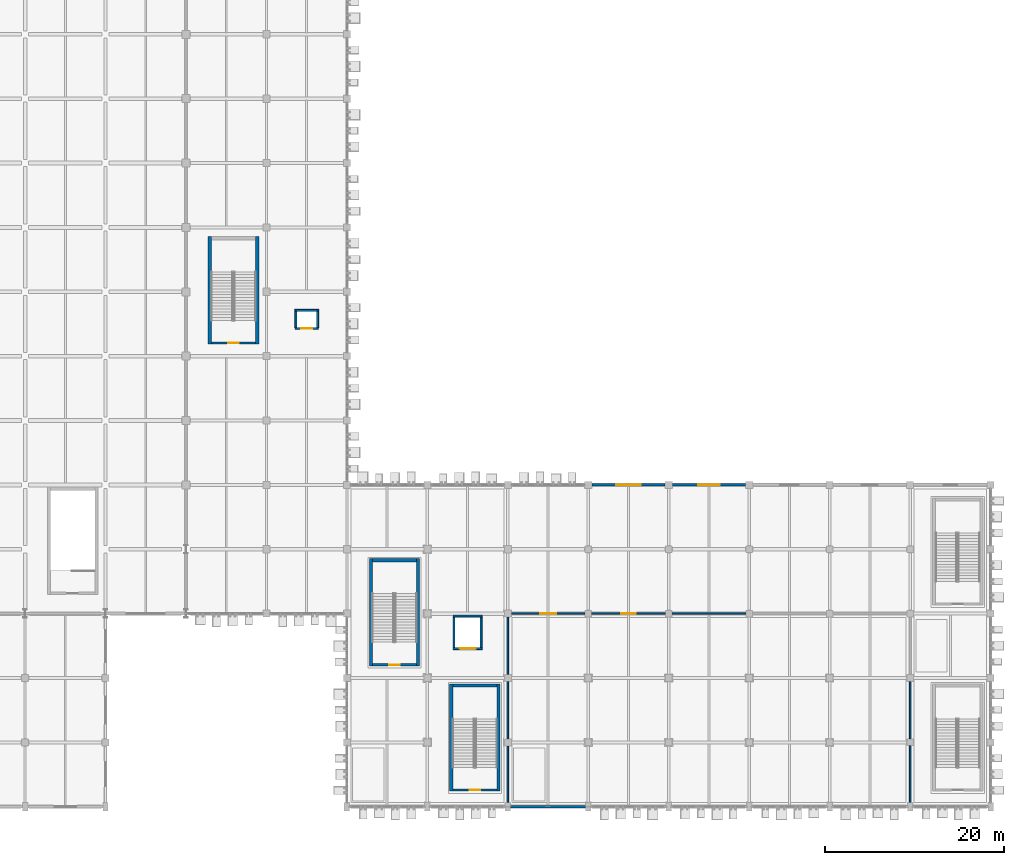
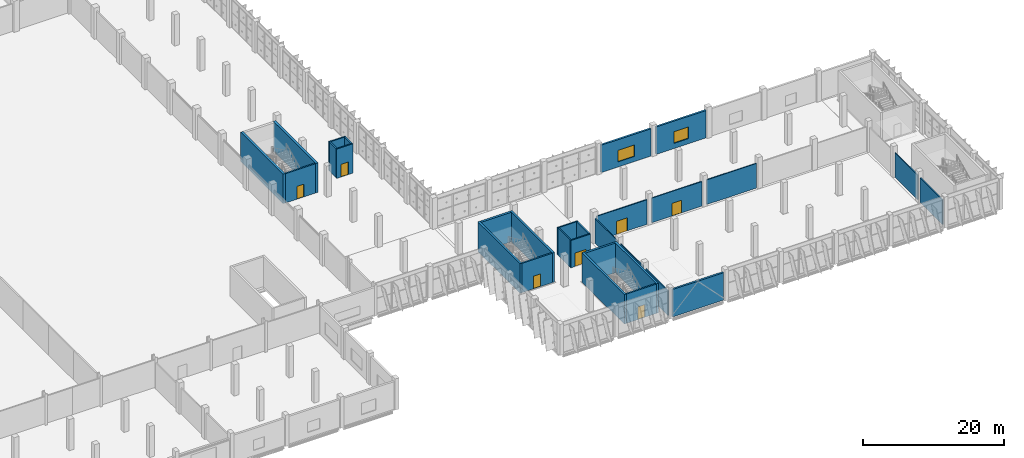
# One storey, part 91 of 137: 30 walls, 7 doors, 2 windows, 9 openings.
"""IFC4 building model written with IfcOpenShell, lengths in metres."""

from ifc_helpers import new_model, si_unit, direction, frame, frame_2d, origin, place, context, subcontext, project, spatial, rectangle, extrude, material, layer, layer_set, type_object, element, fill, save


model = new_model("IFC4")

# Units and contexts
model_context = context("Model", 3, precision=1e-05, world=origin(), true_north=direction((0.0, 1.0)))
body_context = subcontext(model_context, "Body", "Model", "MODEL_VIEW")
ifc_project = project(units=[si_unit("LENGTHUNIT", "METRE"), si_unit("AREAUNIT", "SQUARE_METRE"), si_unit("VOLUMEUNIT", "CUBIC_METRE"), si_unit("PLANEANGLEUNIT", "RADIAN"), si_unit("MASSUNIT", "GRAM", prefix="KILO")], contexts=[model_context])

# Site, building, storey
site_placement = place(None, origin())
site = spatial("IfcSite", under=ifc_project, at=site_placement, CompositionType="ELEMENT")
building_placement = place(site_placement, origin())
building = spatial("IfcBuilding", under=site, at=building_placement, Name="Celestram Park Convention Centre", CompositionType="ELEMENT")
storey_placement = place(building_placement, origin())
storey = spatial("IfcBuildingStorey", under=building, at=storey_placement, Name="L00", CompositionType="ELEMENT", Elevation=0.0)

# Wall, opening, door
ifc_material_1 = material(Name="Concrete Block Masonry C25/30", Category="masonry")
ifc_layer_1 = layer(ifc_material_1, 0.25)
ifc_layer_set_1 = layer_set([ifc_layer_1], Name="Concrete Block Masonry C25/30")
wall_type_1 = type_object("IfcWallType", Name="ARC-WL-COR250", PredefinedType="STANDARD", material=ifc_layer_set_1)
wall_1_placement = place(storey_placement, frame((133.800048828125, 51.875, 0.0), z_axis=(0.0, 0.0, 1.0), x_axis=(-1.0, 0.0, 0.0)))
wall_1 = element("IfcWall", 1, at=wall_1_placement, inside=storey, type_object=wall_type_1, Name="Core C4 stair entrance wall", PredefinedType="STANDARD", context=body_context, shape_type="SweptSolid", body=[
    extrude(rectangle(XDim=4.9599609375, YDim=0.25, at=frame_2d((2.47998046875, 0.0))), origin(), (0.0, 0.0, 1.0), 5.080078125),
])
opening_1_placement = place(wall_1_placement, frame((1.905029296875, 0.0, 0.0)))
opening_1 = element("IfcOpeningElement", 2, at=opening_1_placement, cuts=wall_1, Name="Opening D-ST1", PredefinedType="OPENING", context=body_context, shape_type="SweptSolid", body=[
    extrude(rectangle(XDim=1.14990234375, YDim=2.199951171875, at=frame_2d((0.574951171875, 1.10009765625))), frame((0.0, 0.135009765625, 0.0), z_axis=(0.0, -1.0, 0.0), x_axis=(1.0, 0.0, 0.0)), (0.0, 0.0, 1.0), 0.27001953125),
])
ifc_material_2 = material(Name="Fire-Rated Hollow Metal Steel ASTM A653", Category="steel")
door_type_1 = type_object("IfcDoorType", Name="ARC-DR-ST115", OperationType="NOTDEFINED", PredefinedType="DOOR", material=ifc_material_2)
door_1_placement = place(opening_1_placement, origin())
door_1 = element("IfcDoor", 3, at=door_1_placement, inside=storey, type_object=door_type_1, Name="Exit stair ST-04 fire door", OperationType="SINGLE_SWING_RIGHT", OverallHeight=2.199951171875, OverallWidth=1.14990234375, PredefinedType="DOOR", context=body_context, shape_type="SweptSolid", body=[
    extrude(rectangle(XDim=1.14990234375, YDim=2.199951171875, at=frame_2d((0.574951171875, 1.10009765625))), frame((0.0, 0.02490234375, 0.0), z_axis=(0.0, -1.0, 0.0), x_axis=(1.0, 0.0, 0.0)), (0.0, 0.0, 1.0), 0.050048828125),
])
fill(opening_1, door_1)

wall_2_placement = place(storey_placement, frame((151.800048828125, 15.875, 0.0), z_axis=(0.0, 0.0, 1.0), x_axis=(-1.0, 0.0, 0.0)))
wall_2 = element("IfcWall", 4, at=wall_2_placement, inside=storey, type_object=wall_type_1, Name="Core C6 stair entrance wall", PredefinedType="STANDARD", context=body_context, shape_type="SweptSolid", body=[
    extrude(rectangle(XDim=4.9599609375, YDim=0.25, at=frame_2d((2.47998046875, 0.0))), origin(), (0.0, 0.0, 1.0), 5.080078125),
])
opening_2_placement = place(wall_2_placement, frame((1.905029296875, 0.0, 0.0)))
opening_2 = element("IfcOpeningElement", 5, at=opening_2_placement, cuts=wall_2, Name="Opening D-ST1", PredefinedType="OPENING", context=body_context, shape_type="SweptSolid", body=[
    extrude(rectangle(XDim=1.14990234375, YDim=2.199951171875, at=frame_2d((0.574951171875, 1.10009765625))), frame((0.0, 0.135009765625, 0.0), z_axis=(0.0, -1.0, 0.0), x_axis=(1.0, 0.0, 0.0)), (0.0, 0.0, 1.0), 0.27001953125),
])
door_2_placement = place(opening_2_placement, origin())
door_2 = element("IfcDoor", 6, at=door_2_placement, inside=storey, type_object=door_type_1, Name="Exit stair ST-06 fire door", OperationType="SINGLE_SWING_RIGHT", OverallHeight=2.199951171875, OverallWidth=1.14990234375, PredefinedType="DOOR", context=body_context, shape_type="SweptSolid", body=[
    extrude(rectangle(XDim=1.14990234375, YDim=2.199951171875, at=frame_2d((0.574951171875, 1.10009765625))), frame((0.0, 0.02490234375, 0.0), z_axis=(0.0, -1.0, 0.0), x_axis=(1.0, 0.0, 0.0)), (0.0, 0.0, 1.0), 0.050048828125),
])
fill(opening_2, door_2)

wall_3_placement = place(storey_placement, frame((160.800048828125, 1.875, 0.0), z_axis=(0.0, 0.0, 1.0), x_axis=(-1.0, 0.0, 0.0)))
wall_3 = element("IfcWall", 7, at=wall_3_placement, inside=storey, type_object=wall_type_1, Name="Core S21 stair entrance wall", PredefinedType="STANDARD", context=body_context, shape_type="SweptSolid", body=[
    extrude(rectangle(XDim=4.9599609375, YDim=0.25, at=frame_2d((2.47998046875, 0.0))), origin(), (0.0, 0.0, 1.0), 5.080078125),
])
opening_3_placement = place(wall_3_placement, frame((1.905029296875, 0.0, 0.0)))
opening_3 = element("IfcOpeningElement", 8, at=opening_3_placement, cuts=wall_3, Name="Opening D-ST1", PredefinedType="OPENING", context=body_context, shape_type="SweptSolid", body=[
    extrude(rectangle(XDim=1.14990234375, YDim=2.199951171875, at=frame_2d((0.574951171875, 1.10009765625))), frame((0.0, 0.135009765625, 0.0), z_axis=(0.0, -1.0, 0.0), x_axis=(1.0, 0.0, 0.0)), (0.0, 0.0, 1.0), 0.27001953125),
])
door_3_placement = place(opening_3_placement, origin())
door_3 = element("IfcDoor", 9, at=door_3_placement, inside=storey, type_object=door_type_1, Name="Exit stair ST-21 fire door", OperationType="SINGLE_SWING_RIGHT", OverallHeight=2.199951171875, OverallWidth=1.14990234375, PredefinedType="DOOR", context=body_context, shape_type="SweptSolid", body=[
    extrude(rectangle(XDim=1.14990234375, YDim=2.199951171875, at=frame_2d((0.574951171875, 1.10009765625))), frame((0.0, 0.02490234375, 0.0), z_axis=(0.0, -1.0, 0.0), x_axis=(1.0, 0.0, 0.0)), (0.0, 0.0, 1.0), 0.050048828125),
])
fill(opening_3, door_3)

# Wall, opening, window
ifc_material_3 = material(Name="Precast Concrete C40/50", Category="concrete")
ifc_layer_2 = layer(ifc_material_3, 0.300048828125)
ifc_layer_set_2 = layer_set([ifc_layer_2], Name="Precast Concrete C40/50")
wall_type_2 = type_object("IfcWallType", Name="ARC-WL-EXT300", PredefinedType="STANDARD", material=ifc_layer_set_2)
wall_4_placement = place(storey_placement, frame((171.39794921875, 36.0, 0.0), z_axis=(0.0, 0.0, 1.0), x_axis=(1.0, 0.0, 0.0)))
wall_4 = element("IfcWall", 10, at=wall_4_placement, inside=storey, type_object=wall_type_2, Name="Bush-hammered precast exterior wall WL-L00-EW056", PredefinedType="STANDARD", context=body_context, shape_type="SweptSolid", body=[
    extrude(rectangle(XDim=8.2041015625, YDim=0.300048828125, at=frame_2d((4.10205078125, 0.0))), origin(), (0.0, 0.0, 1.0), 4.7470703125),
])
opening_4_placement = place(wall_4_placement, frame((2.751953125, 0.0, 0.89990234375)))
opening_4 = element("IfcOpeningElement", 11, at=opening_4_placement, cuts=wall_4, Name="Opening W-03", PredefinedType="OPENING", context=body_context, shape_type="SweptSolid", body=[
    extrude(rectangle(XDim=2.699951171875, YDim=2.0, at=frame_2d((1.35009765625, 1.0))), frame((0.0, 0.159912109375, 0.0), z_axis=(0.0, -1.0, 0.0), x_axis=(1.0, 0.0, 0.0)), (0.0, 0.0, 1.0), 0.320068359375),
])
ifc_material_4 = material(Name="Thermally Broken Aluminium & Triple Glazing", Category="aluminium")
window_type_1 = type_object("IfcWindowType", Name="ARC-WN-270X200", PartitioningType="SINGLE_PANEL", PredefinedType="WINDOW", material=ifc_material_4)
window_1_placement = place(opening_4_placement, origin())
window_1 = element("IfcWindow", 12, at=window_1_placement, inside=storey, type_object=window_type_1, Name="Punched exterior window WN-L00-003", OverallHeight=2.0, OverallWidth=2.699951171875, PartitioningType="SINGLE_PANEL", PredefinedType="WINDOW", context=body_context, shape_type="SweptSolid", body=[
    extrude(rectangle(XDim=2.699951171875, YDim=2.0, at=frame_2d((1.35009765625, 1.0))), frame((0.0, 0.030029296875, 0.0), z_axis=(0.0, -1.0, 0.0), x_axis=(1.0, 0.0, 0.0)), (0.0, 0.0, 1.0), 0.06005859375),
])
fill(opening_4, window_1)

wall_5_placement = place(storey_placement, frame((180.39794921875, 36.0, 0.0), z_axis=(0.0, 0.0, 1.0), x_axis=(1.0, 0.0, 0.0)))
wall_5 = element("IfcWall", 13, at=wall_5_placement, inside=storey, type_object=wall_type_2, Name="Bush-hammered precast exterior wall WL-L00-EW057", PredefinedType="STANDARD", context=body_context, shape_type="SweptSolid", body=[
    extrude(rectangle(XDim=8.2041015625, YDim=0.300048828125, at=frame_2d((4.10205078125, 0.0))), origin(), (0.0, 0.0, 1.0), 4.7470703125),
])
opening_5_placement = place(wall_5_placement, frame((2.902099609375, 0.0, 0.89990234375)))
opening_5 = element("IfcOpeningElement", 14, at=opening_5_placement, cuts=wall_5, Name="Opening W-04", PredefinedType="OPENING", context=body_context, shape_type="SweptSolid", body=[
    extrude(rectangle(XDim=2.39990234375, YDim=2.0, at=frame_2d((1.199951171875, 1.0))), frame((0.0, 0.159912109375, 0.0), z_axis=(0.0, -1.0, 0.0), x_axis=(1.0, 0.0, 0.0)), (0.0, 0.0, 1.0), 0.320068359375),
])
window_type_2 = type_object("IfcWindowType", Name="ARC-WN-240X200", PartitioningType="SINGLE_PANEL", PredefinedType="WINDOW", material=ifc_material_4)
window_2_placement = place(opening_5_placement, origin())
window_2 = element("IfcWindow", 15, at=window_2_placement, inside=storey, type_object=window_type_2, Name="Punched exterior window WN-L00-004", OverallHeight=2.0, OverallWidth=2.39990234375, PartitioningType="SINGLE_PANEL", PredefinedType="WINDOW", context=body_context, shape_type="SweptSolid", body=[
    extrude(rectangle(XDim=2.39990234375, YDim=2.0, at=frame_2d((1.199951171875, 1.0))), frame((0.0, 0.030029296875, 0.0), z_axis=(0.0, -1.0, 0.0), x_axis=(1.0, 0.0, 0.0)), (0.0, 0.0, 1.0), 0.06005859375),
])
fill(opening_5, window_2)

# Wall
wall_6_placement = place(storey_placement, frame((170.701904296875, 0.0, 0.0), z_axis=(0.0, 0.0, 1.0), x_axis=(-1.0, 0.0, 0.0)))
element("IfcWall", 16, at=wall_6_placement, inside=storey, type_object=wall_type_2, Name="Bush-hammered precast exterior wall WL-L00-EW061", PredefinedType="STANDARD", context=body_context, shape_type="SweptSolid", body=[
    extrude(rectangle(XDim=8.40380859375, YDim=0.300048828125, at=frame_2d((4.201904296875, 0.0))), origin(), (0.0, 0.0, 1.0), 4.7470703125),
])

# Wall, opening, door
ifc_material_5 = material(Name="Acoustic Gypsum & Steel Stud 160 mm", Category="steel")
ifc_layer_3 = layer(ifc_material_5, 0.159912109375)
ifc_layer_set_3 = layer_set([ifc_layer_3], Name="Acoustic Gypsum & Steel Stud 160 mm")
wall_type_3 = type_object("IfcWallType", Name="ARC-WL-PRT160", PredefinedType="PARTITIONING", material=ifc_layer_set_3)
wall_7_placement = place(storey_placement, frame((162.39794921875, 21.60009765625, 0.0), z_axis=(0.0, 0.0, 1.0), x_axis=(1.0, 0.0, 0.0)))
wall_7 = element("IfcWall", 17, at=wall_7_placement, inside=storey, type_object=wall_type_3, Name="Interior partition WL-L00-IN0550", PredefinedType="PARTITIONING", context=body_context, shape_type="SweptSolid", body=[
    extrude(rectangle(XDim=8.22900390625, YDim=0.159912109375, at=frame_2d((4.114501953125, 0.0))), origin(), (0.0, 0.0, 1.0), 4.263916015625),
])
opening_6_placement = place(wall_7_placement, frame((3.214599609375, 0.0, 0.0)))
opening_6 = element("IfcOpeningElement", 18, at=opening_6_placement, cuts=wall_7, Name="Opening D-04", PredefinedType="OPENING", context=body_context, shape_type="SweptSolid", body=[
    extrude(rectangle(XDim=1.800048828125, YDim=2.25, at=frame_2d((0.89990234375, 1.125))), frame((0.0, 0.08984375, 0.0), z_axis=(0.0, -1.0, 0.0), x_axis=(1.0, 0.0, 0.0)), (0.0, 0.0, 1.0), 0.179931640625),
])
ifc_material_6 = material(Name="Solid White Oak Acoustic Double Door", Category="wood")
door_type_2 = type_object("IfcDoorType", Name="ARC-DR-MTG180", OperationType="NOTDEFINED", PredefinedType="DOOR", material=ifc_material_6)
door_4_placement = place(opening_6_placement, origin())
door_4 = element("IfcDoor", 19, at=door_4_placement, inside=storey, type_object=door_type_2, Name="Civic Symposium Hall S1 entrance door", OperationType="DOUBLE_DOOR_SINGLE_SWING", OverallHeight=2.25, OverallWidth=1.800048828125, PredefinedType="DOOR", context=body_context, shape_type="SweptSolid", body=[
    extrude(rectangle(XDim=1.800048828125, YDim=2.25, at=frame_2d((0.89990234375, 1.125))), frame((0.0, 0.02490234375, 0.0), z_axis=(0.0, -1.0, 0.0), x_axis=(1.0, 0.0, 0.0)), (0.0, 0.0, 1.0), 0.050048828125),
])
fill(opening_6, door_4)

wall_8_placement = place(storey_placement, frame((171.373046875, 21.60009765625, 0.0), z_axis=(0.0, 0.0, 1.0), x_axis=(1.0, 0.0, 0.0)))
wall_8 = element("IfcWall", 20, at=wall_8_placement, inside=storey, type_object=wall_type_3, Name="Interior partition WL-L00-IN0551", PredefinedType="PARTITIONING", context=body_context, shape_type="SweptSolid", body=[
    extrude(rectangle(XDim=8.25390625, YDim=0.159912109375, at=frame_2d((4.126953125, 0.0))), origin(), (0.0, 0.0, 1.0), 4.263916015625),
])
opening_7_placement = place(wall_8_placement, frame((3.326904296875, 0.0, 0.0)))
opening_7 = element("IfcOpeningElement", 21, at=opening_7_placement, cuts=wall_8, Name="Opening D-05", PredefinedType="OPENING", context=body_context, shape_type="SweptSolid", body=[
    extrude(rectangle(XDim=1.60009765625, YDim=2.199951171875, at=frame_2d((0.800048828125, 1.10009765625))), frame((0.0, 0.08984375, 0.0), z_axis=(0.0, -1.0, 0.0), x_axis=(1.0, 0.0, 0.0)), (0.0, 0.0, 1.0), 0.179931640625),
])
ifc_material_7 = material(Name="Solid White Oak Double Door", Category="wood")
door_type_3 = type_object("IfcDoorType", Name="ARC-DR-MTG160", OperationType="NOTDEFINED", PredefinedType="DOOR", material=ifc_material_7)
door_5_placement = place(opening_7_placement, origin())
door_5 = element("IfcDoor", 22, at=door_5_placement, inside=storey, type_object=door_type_3, Name="Civic Symposium Hall S1 entrance door", OperationType="DOUBLE_DOOR_SINGLE_SWING", OverallHeight=2.199951171875, OverallWidth=1.60009765625, PredefinedType="DOOR", context=body_context, shape_type="SweptSolid", body=[
    extrude(rectangle(XDim=1.60009765625, YDim=2.199951171875, at=frame_2d((0.800048828125, 1.10009765625))), frame((0.0, 0.02490234375, 0.0), z_axis=(0.0, -1.0, 0.0), x_axis=(1.0, 0.0, 0.0)), (0.0, 0.0, 1.0), 0.050048828125),
])
fill(opening_7, door_5)

# Walls
wall_9_placement = place(storey_placement, frame((180.373046875, 21.60009765625, 0.0), z_axis=(0.0, 0.0, 1.0), x_axis=(1.0, 0.0, 0.0)))
element("IfcWall", 23, at=wall_9_placement, inside=storey, type_object=wall_type_3, Name="Interior partition WL-L00-IN0552", PredefinedType="PARTITIONING", context=body_context, shape_type="SweptSolid", body=[
    extrude(rectangle(XDim=8.25390625, YDim=0.159912109375, at=frame_2d((4.126953125, 0.0))), origin(), (0.0, 0.0, 1.0), 4.263916015625),
])
wall_10_placement = place(storey_placement, frame((162.0, 0.447998046875, 0.0), z_axis=(0.0, 0.0, 1.0), x_axis=(0.0, 1.0, 0.0)))
element("IfcWall", 24, at=wall_10_placement, inside=storey, type_object=wall_type_3, Name="Interior partition WL-L00-IN0678", PredefinedType="PARTITIONING", context=body_context, shape_type="SweptSolid", body=[
    extrude(rectangle(XDim=6.35400390625, YDim=0.159912109375, at=frame_2d((3.177001953125, 0.0))), origin(), (0.0, 0.0, 1.0), 4.263916015625),
])
wall_11_placement = place(storey_placement, frame((162.0, 7.597900390625, 0.0), z_axis=(0.0, 0.0, 1.0), x_axis=(0.0, 1.0, 0.0)))
element("IfcWall", 25, at=wall_11_placement, inside=storey, type_object=wall_type_3, Name="Interior partition WL-L00-IN0679", PredefinedType="PARTITIONING", context=body_context, shape_type="SweptSolid", body=[
    extrude(rectangle(XDim=6.404052734375, YDim=0.159912109375, at=frame_2d((3.2021484375, 0.0))), origin(), (0.0, 0.0, 1.0), 4.263916015625),
])
wall_12_placement = place(storey_placement, frame((162.0, 14.798095703125, 0.0), z_axis=(0.0, 0.0, 1.0), x_axis=(0.0, 1.0, 0.0)))
element("IfcWall", 26, at=wall_12_placement, inside=storey, type_object=wall_type_3, Name="Interior partition WL-L00-IN0680", PredefinedType="PARTITIONING", context=body_context, shape_type="SweptSolid", body=[
    extrude(rectangle(XDim=6.40380859375, YDim=0.159912109375, at=frame_2d((3.201904296875, 0.0))), origin(), (0.0, 0.0, 1.0), 4.263916015625),
])
wall_13_placement = place(storey_placement, frame((207.0, 0.447998046875, 0.0), z_axis=(0.0, 0.0, 1.0), x_axis=(0.0, 1.0, 0.0)))
element("IfcWall", 27, at=wall_13_placement, inside=storey, type_object=wall_type_3, Name="Interior partition WL-L00-IN0685", PredefinedType="PARTITIONING", context=body_context, shape_type="SweptSolid", body=[
    extrude(rectangle(XDim=6.37890625, YDim=0.159912109375, at=frame_2d((3.189453125, 0.0))), origin(), (0.0, 0.0, 1.0), 4.263916015625),
])
wall_14_placement = place(storey_placement, frame((207.0, 7.572998046875, 0.0), z_axis=(0.0, 0.0, 1.0), x_axis=(0.0, 1.0, 0.0)))
element("IfcWall", 28, at=wall_14_placement, inside=storey, type_object=wall_type_3, Name="Interior partition WL-L00-IN0686", PredefinedType="PARTITIONING", context=body_context, shape_type="SweptSolid", body=[
    extrude(rectangle(XDim=6.4541015625, YDim=0.159912109375, at=frame_2d((3.22705078125, 0.0))), origin(), (0.0, 0.0, 1.0), 4.263916015625),
])

# Wall, opening, door
ifc_layer_4 = layer(ifc_material_1, 0.219970703125)
ifc_layer_set_4 = layer_set([ifc_layer_4], Name="Concrete Block Masonry C25/30")
wall_type_4 = type_object("IfcWallType", Name="ARC-WL-SHF220", PredefinedType="STANDARD", material=ifc_layer_set_4)
wall_15_placement = place(storey_placement, frame((138.169921875, 53.47998046875, 0.0), z_axis=(0.0, 0.0, 1.0), x_axis=(1.0, 0.0, 0.0)))
wall_15 = element("IfcWall", 29, at=wall_15_placement, inside=storey, type_object=wall_type_4, Name="Lift LP-05 shaft wall S", PredefinedType="STANDARD", context=body_context, shape_type="SweptSolid", body=[
    extrude(rectangle(XDim=2.66015625, YDim=0.219970703125, at=frame_2d((1.330078125, 0.0))), origin(), (0.0, 0.0, 1.0), 5.080078125),
])
opening_8_placement = place(wall_15_placement, frame((0.72998046875, 0.0, 0.0)))
opening_8 = element("IfcOpeningElement", 30, at=opening_8_placement, cuts=wall_15, Name="Opening LD-01", PredefinedType="OPENING", context=body_context, shape_type="SweptSolid", body=[
    extrude(rectangle(XDim=1.199951171875, YDim=2.199951171875, at=frame_2d((0.60009765625, 1.10009765625))), frame((0.0, 0.119873046875, 0.0), z_axis=(0.0, -1.0, 0.0), x_axis=(1.0, 0.0, 0.0)), (0.0, 0.0, 1.0), 0.239990234375),
])
ifc_material_8 = material(Name="Brushed Stainless Steel AISI 304", Category="steel")
door_type_4 = type_object("IfcDoorType", Name="ARC-DR-LFT120", OperationType="NOTDEFINED", PredefinedType="DOOR", material=ifc_material_8)
door_6_placement = place(opening_8_placement, origin())
door_6 = element("IfcDoor", 31, at=door_6_placement, inside=storey, type_object=door_type_4, Name="Lift LP-05 sliding landing door", OperationType="DOUBLE_DOOR_SLIDING", OverallHeight=2.199951171875, OverallWidth=1.199951171875, PredefinedType="DOOR", context=body_context, shape_type="SweptSolid", body=[
    extrude(rectangle(XDim=1.199951171875, YDim=2.199951171875, at=frame_2d((0.60009765625, 1.10009765625))), frame((0.0, 0.02490234375, 0.0), z_axis=(0.0, -1.0, 0.0), x_axis=(1.0, 0.0, 0.0)), (0.0, 0.0, 1.0), 0.050048828125),
])
fill(opening_8, door_6)

# Walls
wall_16_placement = place(storey_placement, frame((140.830078125, 55.52001953125, 0.0), z_axis=(0.0, 0.0, 1.0), x_axis=(-1.0, 0.0, 0.0)))
element("IfcWall", 32, at=wall_16_placement, inside=storey, type_object=wall_type_4, Name="Lift LP-05 shaft wall N", PredefinedType="STANDARD", context=body_context, shape_type="SweptSolid", body=[
    extrude(rectangle(XDim=2.66015625, YDim=0.219970703125, at=frame_2d((1.330078125, 0.0))), origin(), (0.0, 0.0, 1.0), 5.080078125),
])
for number, where, z_axis, x_axis, name in (
    (33, (138.280029296875, 55.409912109375, 0.0), (0.0, 0.0, 1.0), (0.0, -1.0, 0.0), "Lift LP-05 shaft wall W"),
    (34, (140.719970703125, 53.590087890625, 0.0), (0.0, 0.0, 1.0), (0.0, 1.0, 0.0), "Lift LP-05 shaft wall E"),
):
    element("IfcWall", number, at=place(storey_placement, frame(where, z_axis=z_axis, x_axis=x_axis)), inside=storey, type_object=wall_type_4, Name=name, PredefinedType="STANDARD", context=body_context, shape_type="SweptSolid", body=[
        extrude(rectangle(XDim=1.81982421875, YDim=0.219970703125, at=frame_2d((0.909912109375, 0.0))), origin(), (0.0, 0.0, 1.0), 5.080078125),
    ])

# Wall, opening, door
wall_17_placement = place(storey_placement, frame((155.8701171875, 17.679931640625, 0.0), z_axis=(0.0, 0.0, 1.0), x_axis=(1.0, 0.0, 0.0)))
wall_17 = element("IfcWall", 35, at=wall_17_placement, inside=storey, type_object=wall_type_4, Name="Lift LG-02 shaft wall S", PredefinedType="STANDARD", context=body_context, shape_type="SweptSolid", body=[
    extrude(rectangle(XDim=3.259765625, YDim=0.219970703125, at=frame_2d((1.6298828125, 0.0))), origin(), (0.0, 0.0, 1.0), 4.7470703125),
])
opening_9_placement = place(wall_17_placement, frame((0.72998046875, 0.0, 0.0)))
opening_9 = element("IfcOpeningElement", 36, at=opening_9_placement, cuts=wall_17, Name="Opening LD-02", PredefinedType="OPENING", context=body_context, shape_type="SweptSolid", body=[
    extrude(rectangle(XDim=1.800048828125, YDim=2.35009765625, at=frame_2d((0.89990234375, 1.175048828125))), frame((0.0, 0.119873046875, 0.0), z_axis=(0.0, -1.0, 0.0), x_axis=(1.0, 0.0, 0.0)), (0.0, 0.0, 1.0), 0.239990234375),
])
ifc_material_9 = material(Name="Heavy-Duty Stainless Steel AISI 304", Category="steel")
door_type_5 = type_object("IfcDoorType", Name="ARC-DR-LFG180", OperationType="NOTDEFINED", PredefinedType="DOOR", material=ifc_material_9)
door_7_placement = place(opening_9_placement, origin())
door_7 = element("IfcDoor", 37, at=door_7_placement, inside=storey, type_object=door_type_5, Name="Lift LG-02 sliding landing door", OperationType="DOUBLE_DOOR_SLIDING", OverallHeight=2.35009765625, OverallWidth=1.800048828125, PredefinedType="DOOR", context=body_context, shape_type="SweptSolid", body=[
    extrude(rectangle(XDim=1.800048828125, YDim=2.35009765625, at=frame_2d((0.89990234375, 1.175048828125))), frame((0.0, 0.02490234375, 0.0), z_axis=(0.0, -1.0, 0.0), x_axis=(1.0, 0.0, 0.0)), (0.0, 0.0, 1.0), 0.050048828125),
])
fill(opening_9, door_7)

# Walls
wall_18_placement = place(storey_placement, frame((159.1298828125, 21.320068359375, 0.0), z_axis=(0.0, 0.0, 1.0), x_axis=(-1.0, 0.0, 0.0)))
element("IfcWall", 38, at=wall_18_placement, inside=storey, type_object=wall_type_4, Name="Lift LG-02 shaft wall N", PredefinedType="STANDARD", context=body_context, shape_type="SweptSolid", body=[
    extrude(rectangle(XDim=3.259765625, YDim=0.219970703125, at=frame_2d((1.6298828125, 0.0))), origin(), (0.0, 0.0, 1.0), 4.7470703125),
])
for number, where, z_axis, x_axis, name in (
    (39, (155.97998046875, 21.2099609375, 0.0), (0.0, 0.0, 1.0), (0.0, -1.0, 0.0), "Lift LG-02 shaft wall W"),
    (40, (159.02001953125, 17.7900390625, 0.0), (0.0, 0.0, 1.0), (0.0, 1.0, 0.0), "Lift LG-02 shaft wall E"),
):
    element("IfcWall", number, at=place(storey_placement, frame(where, z_axis=z_axis, x_axis=x_axis)), inside=storey, type_object=wall_type_4, Name=name, PredefinedType="STANDARD", context=body_context, shape_type="SweptSolid", body=[
        extrude(rectangle(XDim=3.419921875, YDim=0.219970703125, at=frame_2d((1.7099609375, 0.0))), origin(), (0.0, 0.0, 1.0), 4.7470703125),
    ])
ifc_material_10 = material(Name="Concrete C40/50", Category="concrete")
ifc_layer_5 = layer(ifc_material_10, 0.340087890625)
ifc_layer_set_5 = layer_set([ifc_layer_5], Name="Concrete C40/50")
wall_type_5 = type_object("IfcWallType", Name="STR-WL-SHR340", PredefinedType="SHEAR", material=ifc_layer_set_5)
for number, where, z_axis, x_axis, name in (
    (41, (146.669921875, 15.75, 0.0), (0.0, 0.0, 1.0), (0.0, 1.0, 0.0), "Core C6 shear wall L"),
    (42, (151.969970703125, 27.739990234375, 0.0), (0.0, 0.0, 1.0), (0.0, -1.0, 0.0), "Core C6 shear wall R"),
):
    element("IfcWall", number, at=place(storey_placement, frame(where, z_axis=z_axis, x_axis=x_axis)), inside=storey, type_object=wall_type_5, Name=name, PredefinedType="SHEAR", context=body_context, shape_type="SweptSolid", body=[
        extrude(rectangle(XDim=11.989990234375, YDim=0.340087890625, at=frame_2d((5.9951171875, 0.0))), origin(), (0.0, 0.0, 1.0), 5.1201171875),
    ])
wall_19_placement = place(storey_placement, frame((146.840087890625, 27.570068359375, 0.0), z_axis=(0.0, 0.0, 1.0), x_axis=(1.0, 0.0, 0.0)))
element("IfcWall", 43, at=wall_19_placement, inside=storey, type_object=wall_type_5, Name="Core C6 shear wall F", PredefinedType="SHEAR", context=body_context, shape_type="SweptSolid", body=[
    extrude(rectangle(XDim=4.9599609375, YDim=0.340087890625, at=frame_2d((2.47998046875, 0.0))), origin(), (0.0, 0.0, 1.0), 5.1201171875),
])
for number, where, z_axis, x_axis, name in (
    (44, (155.669921875, 1.75, 0.0), (0.0, 0.0, 1.0), (0.0, 1.0, 0.0), "Core S21 shear wall L"),
    (45, (160.969970703125, 13.739990234375, 0.0), (0.0, 0.0, 1.0), (0.0, -1.0, 0.0), "Core S21 shear wall R"),
):
    element("IfcWall", number, at=place(storey_placement, frame(where, z_axis=z_axis, x_axis=x_axis)), inside=storey, type_object=wall_type_5, Name=name, PredefinedType="SHEAR", context=body_context, shape_type="SweptSolid", body=[
        extrude(rectangle(XDim=11.989990234375, YDim=0.340087890625, at=frame_2d((5.9951171875, 0.0))), origin(), (0.0, 0.0, 1.0), 5.1201171875),
    ])
wall_20_placement = place(storey_placement, frame((155.840087890625, 13.570068359375, 0.0), z_axis=(0.0, 0.0, 1.0), x_axis=(1.0, 0.0, 0.0)))
element("IfcWall", 46, at=wall_20_placement, inside=storey, type_object=wall_type_5, Name="Core S21 shear wall F", PredefinedType="SHEAR", context=body_context, shape_type="SweptSolid", body=[
    extrude(rectangle(XDim=4.9599609375, YDim=0.340087890625, at=frame_2d((2.47998046875, 0.0))), origin(), (0.0, 0.0, 1.0), 5.1201171875),
])
ifc_layer_6 = layer(ifc_material_10, 0.3798828125)
ifc_layer_set_6 = layer_set([ifc_layer_6], Name="Concrete C40/50")
wall_type_6 = type_object("IfcWallType", Name="STR-WL-SHR380", PredefinedType="SHEAR", material=ifc_layer_set_6)
for number, where, z_axis, x_axis, name in (
    (47, (128.64990234375, 51.75, 0.0), (0.0, 0.0, 1.0), (0.0, 1.0, 0.0), "Core C4 shear wall L"),
    (48, (133.989990234375, 63.780029296875, 0.0), (0.0, 0.0, 1.0), (0.0, -1.0, 0.0), "Core C4 shear wall R"),
):
    element("IfcWall", number, at=place(storey_placement, frame(where, z_axis=z_axis, x_axis=x_axis)), inside=storey, type_object=wall_type_6, Name=name, PredefinedType="SHEAR", context=body_context, shape_type="SweptSolid", body=[
        extrude(rectangle(XDim=12.030029296875, YDim=0.3798828125, at=frame_2d((6.01513671875, 0.0))), origin(), (0.0, 0.0, 1.0), 5.1201171875),
    ])

save(model, "model.ifc")
